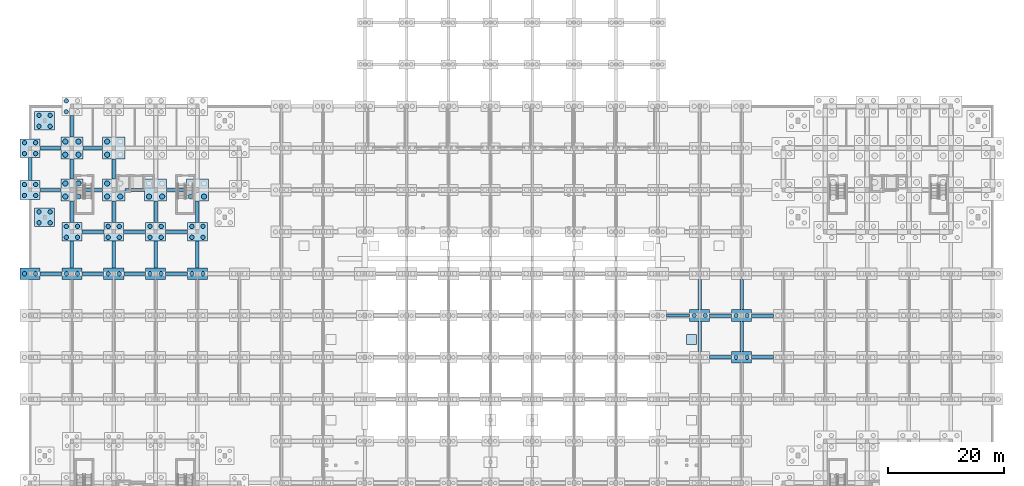
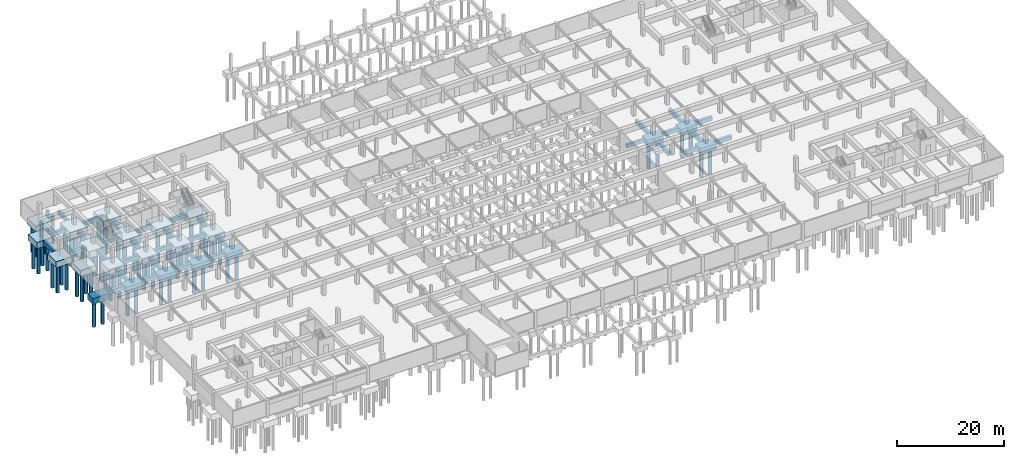
# One storey, part 7 of 36: 67 piles, 57 footings.
"""IFC4 building model written with IfcOpenShell, lengths in metres."""

from ifc_helpers import new_model, si_unit, direction, frame, origin, origin_2d, place, context, subcontext, project, spatial, rectangle, circle, extrude, material, material_profile, profile_set, type_object, element, save


model = new_model("IFC4")

# Units and contexts
model_context = context("Model", 3, precision=1e-05, world=origin(), true_north=direction((0.0, 1.0)))
body_context = subcontext(model_context, "Body", "Model", "MODEL_VIEW")
ifc_project = project(units=[si_unit("LENGTHUNIT", "METRE"), si_unit("AREAUNIT", "SQUARE_METRE"), si_unit("VOLUMEUNIT", "CUBIC_METRE"), si_unit("PLANEANGLEUNIT", "RADIAN"), si_unit("MASSUNIT", "GRAM", prefix="KILO")], contexts=[model_context])

# Site, building, storey
site_placement = place(None, origin())
site = spatial("IfcSite", under=ifc_project, at=site_placement, CompositionType="ELEMENT")
building_placement = place(site_placement, origin())
building = spatial("IfcBuilding", under=site, at=building_placement, Name="Ochrevale Crest", CompositionType="ELEMENT")
storey_placement = place(building_placement, frame((0.0, 0.0, -3.60009765625)))
storey = spatial("IfcBuildingStorey", under=building, at=storey_placement, Name="B1", CompositionType="ELEMENT", Elevation=-3.60009765625)

# Footings
ifc_material = material(Name="Concrete C40/50", Category="concrete")
footing_type_1 = type_object("IfcFootingType", Name="CAP-PC03", PredefinedType="PILE_CAP", material=ifc_material)
for number, where, z_axis, x_axis, name in (
    (1, (7.199951171875, 79.199951171875, -1.760009765625), (0.0, 0.0, 1.0), (1.0, 0.0, 0.0), "Pile cap PC03-022"),
    (2, (7.199951171875, 86.39990234375, -1.760009765625), (0.0, 0.0, 1.0), (1.0, 0.0, 0.0), "Pile cap PC03-023"),
    (3, (14.39990234375, 79.199951171875, -1.760009765625), (0.0, 0.0, 1.0), (1.0, 0.0, 0.0), "Pile cap PC03-034"),
    (4, (14.39990234375, 86.39990234375, -1.760009765625), (0.0, 0.0, 1.0), (1.0, 0.0, 0.0), "Pile cap PC03-035"),
    (5, (21.60009765625, 79.199951171875, -1.760009765625), (0.0, 0.0, 1.0), (1.0, 0.0, 0.0), "Pile cap PC03-046"),
    (6, (28.800048828125, 79.199951171875, -1.760009765625), (0.0, 0.0, 1.0), (1.0, 0.0, 0.0), "Pile cap PC03-058"),
):
    element("IfcFooting", number, at=place(storey_placement, frame(where, z_axis=z_axis, x_axis=x_axis)), inside=storey, type_object=footing_type_1, Name=name, PredefinedType="PILE_CAP", context=body_context, shape_type="SweptSolid", body=[
        extrude(rectangle(XDim=3.800048828125, YDim=3.800048828125, at=origin_2d()), origin(), (0.0, 0.0, 1.0), 1.5),
    ])
footing_type_2 = type_object("IfcFootingType", Name="CAP-PC07", PredefinedType="PILE_CAP", material=ifc_material)
for number, where, z_axis, x_axis, name in (
    (7, (0.0, 79.199951171875, -1.659912109375), (0.0, 0.0, 1.0), (1.0, 0.0, 0.0), "Pile cap PC07-007"),
    (8, (0.0, 86.39990234375, -1.659912109375), (0.0, 0.0, 1.0), (1.0, 0.0, 0.0), "Pile cap PC07-008"),
    (9, (2.5, 74.5, -1.659912109375), (0.0, 0.0, 1.0), (1.0, 0.0, 0.0), "Pile cap PC07-011"),
    (10, (2.5, 91.10009765625, -1.659912109375), (0.0, 0.0, 1.0), (1.0, 0.0, 0.0), "Pile cap PC07-012"),
    (11, (7.199951171875, 72.0, -1.659912109375), (0.0, 0.0, 1.0), (1.0, 0.0, 0.0), "Pile cap PC07-021"),
    (12, (14.39990234375, 72.0, -1.659912109375), (0.0, 0.0, 1.0), (1.0, 0.0, 0.0), "Pile cap PC07-033"),
    (13, (21.60009765625, 72.0, -1.659912109375), (0.0, 0.0, 1.0), (1.0, 0.0, 0.0), "Pile cap PC07-045"),
    (14, (28.800048828125, 72.0, -1.659912109375), (0.0, 0.0, 1.0), (1.0, 0.0, 0.0), "Pile cap PC07-057"),
):
    element("IfcFooting", number, at=place(storey_placement, frame(where, z_axis=z_axis, x_axis=x_axis)), inside=storey, type_object=footing_type_2, Name=name, PredefinedType="PILE_CAP", context=body_context, shape_type="SweptSolid", body=[
        extrude(rectangle(XDim=3.39990234375, YDim=3.199951171875, at=origin_2d()), origin(), (0.0, 0.0, 1.0), 1.39990234375),
    ])
footing_type_3 = type_object("IfcFootingType", Name="CAP-PC12", PredefinedType="PILE_CAP", material=ifc_material)
for number, where, z_axis, x_axis, name in (
    (15, (0.0, 64.800048828125, -1.60986328125), (0.0, 0.0, 1.0), (1.0, 0.0, 0.0), "Pile cap PC12-006"),
    (16, (7.199951171875, 64.800048828125, -1.60986328125), (0.0, 0.0, 1.0), (1.0, 0.0, 0.0), "Pile cap PC12-020"),
    (17, (14.39990234375, 64.800048828125, -1.60986328125), (0.0, 0.0, 1.0), (1.0, 0.0, 0.0), "Pile cap PC12-032"),
    (18, (21.60009765625, 64.800048828125, -1.60986328125), (0.0, 0.0, 1.0), (1.0, 0.0, 0.0), "Pile cap PC12-044"),
    (19, (28.800048828125, 64.800048828125, -1.60986328125), (0.0, 0.0, 1.0), (1.0, 0.0, 0.0), "Pile cap PC12-056"),
    (20, (115.199951171875, 57.60009765625, -1.60986328125), (0.0, 0.0, 1.0), (1.0, 0.0, 0.0), "Pile cap PC12-234"),
    (21, (122.39990234375, 50.39990234375, -1.60986328125), (0.0, 0.0, 1.0), (1.0, 0.0, 0.0), "Pile cap PC12-245"),
    (22, (122.39990234375, 57.60009765625, -1.60986328125), (0.0, 0.0, 1.0), (1.0, 0.0, 0.0), "Pile cap PC12-246"),
):
    element("IfcFooting", number, at=place(storey_placement, frame(where, z_axis=z_axis, x_axis=x_axis)), inside=storey, type_object=footing_type_3, Name=name, PredefinedType="PILE_CAP", context=body_context, shape_type="SweptSolid", body=[
        extrude(rectangle(XDim=3.449951171875, YDim=2.0, at=origin_2d()), origin(), (0.0, 0.0, 1.0), 1.35009765625),
    ])
ifc_material_profile_1 = material_profile(ifc_material, rectangle(XDim=0.5, YDim=0.800048828125, at=origin_2d()), Name="GB 500x800")
ifc_profile_set_1 = profile_set([ifc_material_profile_1], Name="Concrete C40/50")
footing_type_4 = type_object("IfcFootingType", Name="FTG-GB500x800", PredefinedType="FOOTING_BEAM", material=ifc_profile_set_1)
footing_1_placement = place(storey_placement, frame((109.47705078125, 57.60009765625, -0.659912109375), z_axis=(1.0, 0.0, 0.0), x_axis=(0.0, 1.0, 0.0)))
element("IfcFooting", 23, at=footing_1_placement, inside=storey, type_object=footing_type_4, Name="Foundation tie beam GB2-396", PredefinedType="FOOTING_BEAM", context=body_context, shape_type="SweptSolid", body=[
    extrude(rectangle(XDim=0.5, YDim=0.800048828125, at=origin_2d()), origin(), (0.0, 0.0, 1.0), 3.995849609375),
])
ifc_material_profile_2 = material_profile(ifc_material, rectangle(XDim=0.60009765625, YDim=0.89990234375, at=origin_2d()), Name="GB 600x900")
ifc_profile_set_2 = profile_set([ifc_material_profile_2], Name="Concrete C40/50")
footing_type_5 = type_object("IfcFootingType", Name="FTG-GB600x900", PredefinedType="FOOTING_BEAM", material=ifc_profile_set_2)
footing_2_placement = place(storey_placement, frame((1.72705078125, 64.800048828125, -0.7099609375), z_axis=(1.0, 0.0, 0.0), x_axis=(0.0, 1.0, 0.0)))
element("IfcFooting", 24, at=footing_2_placement, inside=storey, type_object=footing_type_5, Name="Foundation tie beam GB1-010", PredefinedType="FOOTING_BEAM", context=body_context, shape_type="SweptSolid", body=[
    extrude(rectangle(XDim=0.60009765625, YDim=0.89990234375, at=origin_2d()), origin(), (0.0, 0.0, 1.0), 3.745849609375),
])
footing_3_placement = place(storey_placement, frame((1.701904296875, 79.199951171875, -0.7099609375), z_axis=(1.0, 0.0, 0.0), x_axis=(0.0, 1.0, 0.0)))
element("IfcFooting", 25, at=footing_3_placement, inside=storey, type_object=footing_type_5, Name="Foundation tie beam GB1-011", PredefinedType="FOOTING_BEAM", context=body_context, shape_type="SweptSolid", body=[
    extrude(rectangle(XDim=0.60009765625, YDim=0.89990234375, at=origin_2d()), origin(), (0.0, 0.0, 1.0), 3.59619140625),
])
footing_4_placement = place(storey_placement, frame((0.0, 80.802001953125, -0.7099609375), z_axis=(0.0, 1.0, 0.0), x_axis=(-1.0, 0.0, 0.0)))
element("IfcFooting", 26, at=footing_4_placement, inside=storey, type_object=footing_type_5, Name="Foundation tie beam GB1-012", PredefinedType="FOOTING_BEAM", context=body_context, shape_type="SweptSolid", body=[
    extrude(rectangle(XDim=0.60009765625, YDim=0.89990234375, at=origin_2d()), origin(), (0.0, 0.0, 1.0), 3.99609375),
])
footing_5_placement = place(storey_placement, frame((1.701904296875, 86.39990234375, -0.7099609375), z_axis=(1.0, 0.0, 0.0), x_axis=(0.0, 1.0, 0.0)))
element("IfcFooting", 27, at=footing_5_placement, inside=storey, type_object=footing_type_5, Name="Foundation tie beam GB1-013", PredefinedType="FOOTING_BEAM", context=body_context, shape_type="SweptSolid", body=[
    extrude(rectangle(XDim=0.60009765625, YDim=0.89990234375, at=origin_2d()), origin(), (0.0, 0.0, 1.0), 3.59619140625),
])
footing_6_placement = place(storey_placement, frame((8.927001953125, 64.800048828125, -0.7099609375), z_axis=(1.0, 0.0, 0.0), x_axis=(0.0, 1.0, 0.0)))
element("IfcFooting", 28, at=footing_6_placement, inside=storey, type_object=footing_type_5, Name="Foundation tie beam GB1-028", PredefinedType="FOOTING_BEAM", context=body_context, shape_type="SweptSolid", body=[
    extrude(rectangle(XDim=0.60009765625, YDim=0.89990234375, at=origin_2d()), origin(), (0.0, 0.0, 1.0), 3.74609375),
])
footing_7_placement = place(storey_placement, frame((7.199951171875, 65.802001953125, -0.7099609375), z_axis=(0.0, 1.0, 0.0), x_axis=(-1.0, 0.0, 0.0)))
element("IfcFooting", 29, at=footing_7_placement, inside=storey, type_object=footing_type_5, Name="Foundation tie beam GB1-029", PredefinedType="FOOTING_BEAM", context=body_context, shape_type="SweptSolid", body=[
    extrude(rectangle(XDim=0.60009765625, YDim=0.89990234375, at=origin_2d()), origin(), (0.0, 0.0, 1.0), 4.595947265625),
])
footing_8_placement = place(storey_placement, frame((8.902099609375, 72.0, -0.7099609375), z_axis=(1.0, 0.0, 0.0), x_axis=(0.0, 1.0, 0.0)))
element("IfcFooting", 30, at=footing_8_placement, inside=storey, type_object=footing_type_5, Name="Foundation tie beam GB1-030", PredefinedType="FOOTING_BEAM", context=body_context, shape_type="SweptSolid", body=[
    extrude(rectangle(XDim=0.60009765625, YDim=0.89990234375, at=origin_2d()), origin(), (0.0, 0.0, 1.0), 3.7958984375),
])
footing_9_placement = place(storey_placement, frame((7.199951171875, 73.60205078125, -0.7099609375), z_axis=(0.0, 1.0, 0.0), x_axis=(-1.0, 0.0, 0.0)))
element("IfcFooting", 31, at=footing_9_placement, inside=storey, type_object=footing_type_5, Name="Foundation tie beam GB1-031", PredefinedType="FOOTING_BEAM", context=body_context, shape_type="SweptSolid", body=[
    extrude(rectangle(XDim=0.60009765625, YDim=0.89990234375, at=origin_2d()), origin(), (0.0, 0.0, 1.0), 3.696044921875),
])
for number, where, z_axis, x_axis, name in (
    (32, (9.10205078125, 79.199951171875, -0.7099609375), (1.0, 0.0, 0.0), (0.0, 1.0, 0.0), "Foundation tie beam GB1-032"),
    (33, (7.199951171875, 81.10205078125, -0.7099609375), (0.0, 1.0, 0.0), (-1.0, 0.0, 0.0), "Foundation tie beam GB1-033"),
    (34, (9.10205078125, 86.39990234375, -0.7099609375), (1.0, 0.0, 0.0), (0.0, 1.0, 0.0), "Foundation tie beam GB1-034"),
):
    element("IfcFooting", number, at=place(storey_placement, frame(where, z_axis=z_axis, x_axis=x_axis)), inside=storey, type_object=footing_type_5, Name=name, PredefinedType="FOOTING_BEAM", context=body_context, shape_type="SweptSolid", body=[
        extrude(rectangle(XDim=0.60009765625, YDim=0.89990234375, at=origin_2d()), origin(), (0.0, 0.0, 1.0), 3.39599609375),
    ])
footing_10_placement = place(storey_placement, frame((7.199951171875, 88.302001953125, -0.7099609375), z_axis=(0.0, 1.0, 0.0), x_axis=(-1.0, 0.0, 0.0)))
element("IfcFooting", 35, at=footing_10_placement, inside=storey, type_object=footing_type_5, Name="Foundation tie beam GB1-035", PredefinedType="FOOTING_BEAM", context=body_context, shape_type="SweptSolid", body=[
    extrude(rectangle(XDim=0.60009765625, YDim=0.89990234375, at=origin_2d()), origin(), (0.0, 0.0, 1.0), 3.696044921875),
])
footing_11_placement = place(storey_placement, frame((16.126953125, 64.800048828125, -0.7099609375), z_axis=(1.0, 0.0, 0.0), x_axis=(0.0, 1.0, 0.0)))
element("IfcFooting", 36, at=footing_11_placement, inside=storey, type_object=footing_type_5, Name="Foundation tie beam GB1-051", PredefinedType="FOOTING_BEAM", context=body_context, shape_type="SweptSolid", body=[
    extrude(rectangle(XDim=0.60009765625, YDim=0.89990234375, at=origin_2d()), origin(), (0.0, 0.0, 1.0), 3.74609375),
])
footing_12_placement = place(storey_placement, frame((14.39990234375, 65.802001953125, -0.7099609375), z_axis=(0.0, 1.0, 0.0), x_axis=(-1.0, 0.0, 0.0)))
element("IfcFooting", 37, at=footing_12_placement, inside=storey, type_object=footing_type_5, Name="Foundation tie beam GB1-052", PredefinedType="FOOTING_BEAM", context=body_context, shape_type="SweptSolid", body=[
    extrude(rectangle(XDim=0.60009765625, YDim=0.89990234375, at=origin_2d()), origin(), (0.0, 0.0, 1.0), 4.595947265625),
])
footing_13_placement = place(storey_placement, frame((16.10205078125, 72.0, -0.7099609375), z_axis=(1.0, 0.0, 0.0), x_axis=(0.0, 1.0, 0.0)))
element("IfcFooting", 38, at=footing_13_placement, inside=storey, type_object=footing_type_5, Name="Foundation tie beam GB1-053", PredefinedType="FOOTING_BEAM", context=body_context, shape_type="SweptSolid", body=[
    extrude(rectangle(XDim=0.60009765625, YDim=0.89990234375, at=origin_2d()), origin(), (0.0, 0.0, 1.0), 3.7958984375),
])
footing_14_placement = place(storey_placement, frame((14.39990234375, 73.60205078125, -0.7099609375), z_axis=(0.0, 1.0, 0.0), x_axis=(-1.0, 0.0, 0.0)))
element("IfcFooting", 39, at=footing_14_placement, inside=storey, type_object=footing_type_5, Name="Foundation tie beam GB1-054", PredefinedType="FOOTING_BEAM", context=body_context, shape_type="SweptSolid", body=[
    extrude(rectangle(XDim=0.60009765625, YDim=0.89990234375, at=origin_2d()), origin(), (0.0, 0.0, 1.0), 3.696044921875),
])
for number, where, z_axis, x_axis, name in (
    (40, (16.302001953125, 79.199951171875, -0.7099609375), (1.0, 0.0, 0.0), (0.0, 1.0, 0.0), "Foundation tie beam GB1-055"),
    (41, (14.39990234375, 81.10205078125, -0.7099609375), (0.0, 1.0, 0.0), (-1.0, 0.0, 0.0), "Foundation tie beam GB1-056"),
):
    element("IfcFooting", number, at=place(storey_placement, frame(where, z_axis=z_axis, x_axis=x_axis)), inside=storey, type_object=footing_type_5, Name=name, PredefinedType="FOOTING_BEAM", context=body_context, shape_type="SweptSolid", body=[
        extrude(rectangle(XDim=0.60009765625, YDim=0.89990234375, at=origin_2d()), origin(), (0.0, 0.0, 1.0), 3.39599609375),
    ])
footing_15_placement = place(storey_placement, frame((23.326904296875, 64.800048828125, -0.7099609375), z_axis=(1.0, 0.0, 0.0), x_axis=(0.0, 1.0, 0.0)))
element("IfcFooting", 42, at=footing_15_placement, inside=storey, type_object=footing_type_5, Name="Foundation tie beam GB1-074", PredefinedType="FOOTING_BEAM", context=body_context, shape_type="SweptSolid", body=[
    extrude(rectangle(XDim=0.60009765625, YDim=0.89990234375, at=origin_2d()), origin(), (0.0, 0.0, 1.0), 3.74609375),
])
footing_16_placement = place(storey_placement, frame((21.60009765625, 65.802001953125, -0.7099609375), z_axis=(0.0, 1.0, 0.0), x_axis=(-1.0, 0.0, 0.0)))
element("IfcFooting", 43, at=footing_16_placement, inside=storey, type_object=footing_type_5, Name="Foundation tie beam GB1-075", PredefinedType="FOOTING_BEAM", context=body_context, shape_type="SweptSolid", body=[
    extrude(rectangle(XDim=0.60009765625, YDim=0.89990234375, at=origin_2d()), origin(), (0.0, 0.0, 1.0), 4.595947265625),
])
footing_17_placement = place(storey_placement, frame((23.302001953125, 72.0, -0.7099609375), z_axis=(1.0, 0.0, 0.0), x_axis=(0.0, 1.0, 0.0)))
element("IfcFooting", 44, at=footing_17_placement, inside=storey, type_object=footing_type_5, Name="Foundation tie beam GB1-076", PredefinedType="FOOTING_BEAM", context=body_context, shape_type="SweptSolid", body=[
    extrude(rectangle(XDim=0.60009765625, YDim=0.89990234375, at=origin_2d()), origin(), (0.0, 0.0, 1.0), 3.7958984375),
])
footing_18_placement = place(storey_placement, frame((21.60009765625, 73.60205078125, -0.7099609375), z_axis=(0.0, 1.0, 0.0), x_axis=(-1.0, 0.0, 0.0)))
element("IfcFooting", 45, at=footing_18_placement, inside=storey, type_object=footing_type_5, Name="Foundation tie beam GB1-077", PredefinedType="FOOTING_BEAM", context=body_context, shape_type="SweptSolid", body=[
    extrude(rectangle(XDim=0.60009765625, YDim=0.89990234375, at=origin_2d()), origin(), (0.0, 0.0, 1.0), 3.696044921875),
])
footing_19_placement = place(storey_placement, frame((23.501953125, 79.199951171875, -0.7099609375), z_axis=(1.0, 0.0, 0.0), x_axis=(0.0, 1.0, 0.0)))
element("IfcFooting", 46, at=footing_19_placement, inside=storey, type_object=footing_type_5, Name="Foundation tie beam GB1-078", PredefinedType="FOOTING_BEAM", context=body_context, shape_type="SweptSolid", body=[
    extrude(rectangle(XDim=0.60009765625, YDim=0.89990234375, at=origin_2d()), origin(), (0.0, 0.0, 1.0), 3.39599609375),
])
footing_20_placement = place(storey_placement, frame((28.800048828125, 65.802001953125, -0.7099609375), z_axis=(0.0, 1.0, 0.0), x_axis=(-1.0, 0.0, 0.0)))
element("IfcFooting", 47, at=footing_20_placement, inside=storey, type_object=footing_type_5, Name="Foundation tie beam GB1-096", PredefinedType="FOOTING_BEAM", context=body_context, shape_type="SweptSolid", body=[
    extrude(rectangle(XDim=0.60009765625, YDim=0.89990234375, at=origin_2d()), origin(), (0.0, 0.0, 1.0), 4.595947265625),
])
footing_21_placement = place(storey_placement, frame((28.800048828125, 73.60205078125, -0.7099609375), z_axis=(0.0, 1.0, 0.0), x_axis=(-1.0, 0.0, 0.0)))
element("IfcFooting", 48, at=footing_21_placement, inside=storey, type_object=footing_type_5, Name="Foundation tie beam GB1-097", PredefinedType="FOOTING_BEAM", context=body_context, shape_type="SweptSolid", body=[
    extrude(rectangle(XDim=0.60009765625, YDim=0.89990234375, at=origin_2d()), origin(), (0.0, 0.0, 1.0), 3.696044921875),
])
footing_22_placement = place(storey_placement, frame((116.927001953125, 50.39990234375, -0.7099609375), z_axis=(1.0, 0.0, 0.0), x_axis=(0.0, 1.0, 0.0)))
element("IfcFooting", 49, at=footing_22_placement, inside=storey, type_object=footing_type_5, Name="Foundation tie beam GB1-420", PredefinedType="FOOTING_BEAM", context=body_context, shape_type="SweptSolid", body=[
    extrude(rectangle(XDim=0.60009765625, YDim=0.89990234375, at=origin_2d()), origin(), (0.0, 0.0, 1.0), 3.74609375),
])
footing_23_placement = place(storey_placement, frame((115.199951171875, 51.402099609375, -0.7099609375), z_axis=(0.0, 1.0, 0.0), x_axis=(-1.0, 0.0, 0.0)))
element("IfcFooting", 50, at=footing_23_placement, inside=storey, type_object=footing_type_5, Name="Foundation tie beam GB1-421", PredefinedType="FOOTING_BEAM", context=body_context, shape_type="SweptSolid", body=[
    extrude(rectangle(XDim=0.60009765625, YDim=0.89990234375, at=origin_2d()), origin(), (0.0, 0.0, 1.0), 5.19580078125),
])
footing_24_placement = place(storey_placement, frame((116.927001953125, 57.60009765625, -0.7099609375), z_axis=(1.0, 0.0, 0.0), x_axis=(0.0, 1.0, 0.0)))
element("IfcFooting", 51, at=footing_24_placement, inside=storey, type_object=footing_type_5, Name="Foundation tie beam GB1-422", PredefinedType="FOOTING_BEAM", context=body_context, shape_type="SweptSolid", body=[
    extrude(rectangle(XDim=0.60009765625, YDim=0.89990234375, at=origin_2d()), origin(), (0.0, 0.0, 1.0), 3.74609375),
])
footing_25_placement = place(storey_placement, frame((115.199951171875, 58.60205078125, -0.7099609375), z_axis=(0.0, 1.0, 0.0), x_axis=(-1.0, 0.0, 0.0)))
element("IfcFooting", 52, at=footing_25_placement, inside=storey, type_object=footing_type_5, Name="Foundation tie beam GB1-423", PredefinedType="FOOTING_BEAM", context=body_context, shape_type="SweptSolid", body=[
    extrude(rectangle(XDim=0.60009765625, YDim=0.89990234375, at=origin_2d()), origin(), (0.0, 0.0, 1.0), 5.196044921875),
])
footing_26_placement = place(storey_placement, frame((124.126953125, 50.39990234375, -0.7099609375), z_axis=(1.0, 0.0, 0.0), x_axis=(0.0, 1.0, 0.0)))
element("IfcFooting", 53, at=footing_26_placement, inside=storey, type_object=footing_type_5, Name="Foundation tie beam GB1-441", PredefinedType="FOOTING_BEAM", context=body_context, shape_type="SweptSolid", body=[
    extrude(rectangle(XDim=0.60009765625, YDim=0.89990234375, at=origin_2d()), origin(), (0.0, 0.0, 1.0), 3.74609375),
])
footing_27_placement = place(storey_placement, frame((122.39990234375, 51.402099609375, -0.7099609375), z_axis=(0.0, 1.0, 0.0), x_axis=(-1.0, 0.0, 0.0)))
element("IfcFooting", 54, at=footing_27_placement, inside=storey, type_object=footing_type_5, Name="Foundation tie beam GB1-442", PredefinedType="FOOTING_BEAM", context=body_context, shape_type="SweptSolid", body=[
    extrude(rectangle(XDim=0.60009765625, YDim=0.89990234375, at=origin_2d()), origin(), (0.0, 0.0, 1.0), 5.19580078125),
])
footing_28_placement = place(storey_placement, frame((124.126953125, 57.60009765625, -0.7099609375), z_axis=(1.0, 0.0, 0.0), x_axis=(0.0, 1.0, 0.0)))
element("IfcFooting", 55, at=footing_28_placement, inside=storey, type_object=footing_type_5, Name="Foundation tie beam GB1-443", PredefinedType="FOOTING_BEAM", context=body_context, shape_type="SweptSolid", body=[
    extrude(rectangle(XDim=0.60009765625, YDim=0.89990234375, at=origin_2d()), origin(), (0.0, 0.0, 1.0), 3.74609375),
])
footing_29_placement = place(storey_placement, frame((122.39990234375, 58.60205078125, -0.7099609375), z_axis=(0.0, 1.0, 0.0), x_axis=(-1.0, 0.0, 0.0)))
element("IfcFooting", 56, at=footing_29_placement, inside=storey, type_object=footing_type_5, Name="Foundation tie beam GB1-444", PredefinedType="FOOTING_BEAM", context=body_context, shape_type="SweptSolid", body=[
    extrude(rectangle(XDim=0.60009765625, YDim=0.89990234375, at=origin_2d()), origin(), (0.0, 0.0, 1.0), 5.196044921875),
])
footing_type_6 = type_object("IfcFootingType", Name="FTG-PAD03", PredefinedType="PAD_FOOTING", material=ifc_material)
footing_30_placement = place(storey_placement, frame((113.800048828125, 53.5, -0.909912109375), z_axis=(0.0, 0.0, 1.0), x_axis=(1.0, 0.0, 0.0)))
element("IfcFooting", 57, at=footing_30_placement, inside=storey, type_object=footing_type_6, Name="Pad footing PF03 (113.8,53.5)", PredefinedType="PAD_FOOTING", context=body_context, shape_type="SweptSolid", body=[
    extrude(rectangle(XDim=1.699951171875, YDim=1.699951171875, at=origin_2d()), origin(), (0.0, 0.0, 1.0), 0.64990234375),
])

# Piles
ifc_material_profile_3 = material_profile(ifc_material, circle(Radius=0.375, at=origin_2d()), Name="BORED PILE 750")
ifc_profile_set_3 = profile_set([ifc_material_profile_3], Name="Concrete C40/50")
pile_type_1 = type_object("IfcPileType", Name="PILE-BP750", PredefinedType="BORED", material=ifc_profile_set_3)
for number, where, z_axis, x_axis, name in (
    (58, (-0.949951171875, 64.800048828125, -1.510009765625), (0.0, 0.0, -1.0), (1.0, 0.0, 0.0), "Bored pile P2-006-1"),
    (59, (0.949951171875, 64.800048828125, -1.510009765625), (0.0, 0.0, -1.0), (1.0, 0.0, 0.0), "Bored pile P2-006-2"),
):
    element("IfcPile", number, at=place(storey_placement, frame(where, z_axis=z_axis, x_axis=x_axis)), inside=storey, type_object=pile_type_1, Name=name, PredefinedType="BORED", context=body_context, shape_type="SweptSolid", body=[
        extrude(circle(Radius=0.375, at=origin_2d()), origin(), (0.0, 0.0, 1.0), 5.889892578125),
    ])
for number, where, z_axis, x_axis, name in (
    (60, (-0.9599609375, 78.260009765625, -1.559814453125), (0.0, 0.0, -1.0), (1.0, 0.0, 0.0), "Bored pile P2-007-1"),
    (61, (0.9599609375, 78.260009765625, -1.559814453125), (0.0, 0.0, -1.0), (1.0, 0.0, 0.0), "Bored pile P2-007-2"),
    (62, (-0.9599609375, 80.139892578125, -1.559814453125), (0.0, 0.0, -1.0), (1.0, 0.0, 0.0), "Bored pile P2-007-3"),
    (63, (0.9599609375, 80.139892578125, -1.559814453125), (0.0, 0.0, -1.0), (1.0, 0.0, 0.0), "Bored pile P2-007-4"),
    (64, (-0.9599609375, 85.4599609375, -1.559814453125), (0.0, 0.0, -1.0), (1.0, 0.0, 0.0), "Bored pile P2-008-1"),
    (65, (0.9599609375, 85.4599609375, -1.559814453125), (0.0, 0.0, -1.0), (1.0, 0.0, 0.0), "Bored pile P2-008-2"),
    (66, (-0.9599609375, 87.340087890625, -1.559814453125), (0.0, 0.0, -1.0), (1.0, 0.0, 0.0), "Bored pile P2-008-3"),
    (67, (0.9599609375, 87.340087890625, -1.559814453125), (0.0, 0.0, -1.0), (1.0, 0.0, 0.0), "Bored pile P2-008-4"),
    (68, (1.5400390625, 73.56005859375, -1.559814453125), (0.0, 0.0, -1.0), (1.0, 0.0, 0.0), "Bored pile P2-011-1"),
    (69, (3.4599609375, 73.56005859375, -1.559814453125), (0.0, 0.0, -1.0), (1.0, 0.0, 0.0), "Bored pile P2-011-2"),
    (70, (1.5400390625, 75.43994140625, -1.559814453125), (0.0, 0.0, -1.0), (1.0, 0.0, 0.0), "Bored pile P2-011-3"),
    (71, (3.4599609375, 75.43994140625, -1.559814453125), (0.0, 0.0, -1.0), (1.0, 0.0, 0.0), "Bored pile P2-011-4"),
    (72, (1.5400390625, 90.159912109375, -1.559814453125), (0.0, 0.0, -1.0), (1.0, 0.0, 0.0), "Bored pile P2-012-1"),
    (73, (3.4599609375, 90.159912109375, -1.559814453125), (0.0, 0.0, -1.0), (1.0, 0.0, 0.0), "Bored pile P2-012-2"),
    (74, (1.5400390625, 92.0400390625, -1.559814453125), (0.0, 0.0, -1.0), (1.0, 0.0, 0.0), "Bored pile P2-012-3"),
    (75, (3.4599609375, 92.0400390625, -1.559814453125), (0.0, 0.0, -1.0), (1.0, 0.0, 0.0), "Bored pile P2-012-4"),
):
    element("IfcPile", number, at=place(storey_placement, frame(where, z_axis=z_axis, x_axis=x_axis)), inside=storey, type_object=pile_type_1, Name=name, PredefinedType="BORED", context=body_context, shape_type="SweptSolid", body=[
        extrude(circle(Radius=0.375, at=origin_2d()), origin(), (0.0, 0.0, 1.0), 6.239990234375),
    ])
for number, where, z_axis, x_axis, name in (
    (76, (6.25, 64.800048828125, -1.510009765625), (0.0, 0.0, -1.0), (1.0, 0.0, 0.0), "Bored pile P2-020-1"),
    (77, (8.14990234375, 64.800048828125, -1.510009765625), (0.0, 0.0, -1.0), (1.0, 0.0, 0.0), "Bored pile P2-020-2"),
):
    element("IfcPile", number, at=place(storey_placement, frame(where, z_axis=z_axis, x_axis=x_axis)), inside=storey, type_object=pile_type_1, Name=name, PredefinedType="BORED", context=body_context, shape_type="SweptSolid", body=[
        extrude(circle(Radius=0.375, at=origin_2d()), origin(), (0.0, 0.0, 1.0), 5.889892578125),
    ])
for number, where, z_axis, x_axis, name in (
    (78, (6.239990234375, 71.06005859375, -1.559814453125), (0.0, 0.0, -1.0), (1.0, 0.0, 0.0), "Bored pile P2-021-1"),
    (79, (8.159912109375, 71.06005859375, -1.559814453125), (0.0, 0.0, -1.0), (1.0, 0.0, 0.0), "Bored pile P2-021-2"),
    (80, (6.239990234375, 72.93994140625, -1.559814453125), (0.0, 0.0, -1.0), (1.0, 0.0, 0.0), "Bored pile P2-021-3"),
    (81, (8.159912109375, 72.93994140625, -1.559814453125), (0.0, 0.0, -1.0), (1.0, 0.0, 0.0), "Bored pile P2-021-4"),
    (82, (6.239990234375, 92.659912109375, -1.559814453125), (0.0, 0.0, -1.0), (1.0, 0.0, 0.0), "Bored pile P2-024-1"),
    (83, (6.239990234375, 94.5400390625, -1.559814453125), (0.0, 0.0, -1.0), (1.0, 0.0, 0.0), "Bored pile P2-024-3"),
):
    element("IfcPile", number, at=place(storey_placement, frame(where, z_axis=z_axis, x_axis=x_axis)), inside=storey, type_object=pile_type_1, Name=name, PredefinedType="BORED", context=body_context, shape_type="SweptSolid", body=[
        extrude(circle(Radius=0.375, at=origin_2d()), origin(), (0.0, 0.0, 1.0), 6.239990234375),
    ])
for number, where, z_axis, x_axis, name in (
    (84, (13.449951171875, 64.800048828125, -1.510009765625), (0.0, 0.0, -1.0), (1.0, 0.0, 0.0), "Bored pile P2-032-1"),
    (85, (15.35009765625, 64.800048828125, -1.510009765625), (0.0, 0.0, -1.0), (1.0, 0.0, 0.0), "Bored pile P2-032-2"),
):
    element("IfcPile", number, at=place(storey_placement, frame(where, z_axis=z_axis, x_axis=x_axis)), inside=storey, type_object=pile_type_1, Name=name, PredefinedType="BORED", context=body_context, shape_type="SweptSolid", body=[
        extrude(circle(Radius=0.375, at=origin_2d()), origin(), (0.0, 0.0, 1.0), 5.889892578125),
    ])
for number, where, z_axis, x_axis, name in (
    (86, (13.43994140625, 71.06005859375, -1.559814453125), (0.0, 0.0, -1.0), (1.0, 0.0, 0.0), "Bored pile P2-033-1"),
    (87, (15.360107421875, 71.06005859375, -1.559814453125), (0.0, 0.0, -1.0), (1.0, 0.0, 0.0), "Bored pile P2-033-2"),
    (88, (13.43994140625, 72.93994140625, -1.559814453125), (0.0, 0.0, -1.0), (1.0, 0.0, 0.0), "Bored pile P2-033-3"),
    (89, (15.360107421875, 72.93994140625, -1.559814453125), (0.0, 0.0, -1.0), (1.0, 0.0, 0.0), "Bored pile P2-033-4"),
):
    element("IfcPile", number, at=place(storey_placement, frame(where, z_axis=z_axis, x_axis=x_axis)), inside=storey, type_object=pile_type_1, Name=name, PredefinedType="BORED", context=body_context, shape_type="SweptSolid", body=[
        extrude(circle(Radius=0.375, at=origin_2d()), origin(), (0.0, 0.0, 1.0), 6.239990234375),
    ])
for number, where, z_axis, x_axis, name in (
    (90, (20.64990234375, 64.800048828125, -1.510009765625), (0.0, 0.0, -1.0), (1.0, 0.0, 0.0), "Bored pile P2-044-1"),
    (91, (22.550048828125, 64.800048828125, -1.510009765625), (0.0, 0.0, -1.0), (1.0, 0.0, 0.0), "Bored pile P2-044-2"),
):
    element("IfcPile", number, at=place(storey_placement, frame(where, z_axis=z_axis, x_axis=x_axis)), inside=storey, type_object=pile_type_1, Name=name, PredefinedType="BORED", context=body_context, shape_type="SweptSolid", body=[
        extrude(circle(Radius=0.375, at=origin_2d()), origin(), (0.0, 0.0, 1.0), 5.889892578125),
    ])
for number, where, z_axis, x_axis, name in (
    (92, (20.639892578125, 71.06005859375, -1.559814453125), (0.0, 0.0, -1.0), (1.0, 0.0, 0.0), "Bored pile P2-045-1"),
    (93, (22.56005859375, 71.06005859375, -1.559814453125), (0.0, 0.0, -1.0), (1.0, 0.0, 0.0), "Bored pile P2-045-2"),
    (94, (20.639892578125, 72.93994140625, -1.559814453125), (0.0, 0.0, -1.0), (1.0, 0.0, 0.0), "Bored pile P2-045-3"),
    (95, (22.56005859375, 72.93994140625, -1.559814453125), (0.0, 0.0, -1.0), (1.0, 0.0, 0.0), "Bored pile P2-045-4"),
):
    element("IfcPile", number, at=place(storey_placement, frame(where, z_axis=z_axis, x_axis=x_axis)), inside=storey, type_object=pile_type_1, Name=name, PredefinedType="BORED", context=body_context, shape_type="SweptSolid", body=[
        extrude(circle(Radius=0.375, at=origin_2d()), origin(), (0.0, 0.0, 1.0), 6.239990234375),
    ])
for number, where, z_axis, x_axis, name in (
    (96, (27.85009765625, 64.800048828125, -1.510009765625), (0.0, 0.0, -1.0), (1.0, 0.0, 0.0), "Bored pile P2-056-1"),
    (97, (29.75, 64.800048828125, -1.510009765625), (0.0, 0.0, -1.0), (1.0, 0.0, 0.0), "Bored pile P2-056-2"),
):
    element("IfcPile", number, at=place(storey_placement, frame(where, z_axis=z_axis, x_axis=x_axis)), inside=storey, type_object=pile_type_1, Name=name, PredefinedType="BORED", context=body_context, shape_type="SweptSolid", body=[
        extrude(circle(Radius=0.375, at=origin_2d()), origin(), (0.0, 0.0, 1.0), 5.889892578125),
    ])
for number, where, z_axis, x_axis, name in (
    (98, (27.840087890625, 71.06005859375, -1.559814453125), (0.0, 0.0, -1.0), (1.0, 0.0, 0.0), "Bored pile P2-057-1"),
    (99, (29.760009765625, 71.06005859375, -1.559814453125), (0.0, 0.0, -1.0), (1.0, 0.0, 0.0), "Bored pile P2-057-2"),
    (100, (27.840087890625, 72.93994140625, -1.559814453125), (0.0, 0.0, -1.0), (1.0, 0.0, 0.0), "Bored pile P2-057-3"),
    (101, (29.760009765625, 72.93994140625, -1.559814453125), (0.0, 0.0, -1.0), (1.0, 0.0, 0.0), "Bored pile P2-057-4"),
):
    element("IfcPile", number, at=place(storey_placement, frame(where, z_axis=z_axis, x_axis=x_axis)), inside=storey, type_object=pile_type_1, Name=name, PredefinedType="BORED", context=body_context, shape_type="SweptSolid", body=[
        extrude(circle(Radius=0.375, at=origin_2d()), origin(), (0.0, 0.0, 1.0), 6.239990234375),
    ])
for number, where, z_axis, x_axis, name in (
    (102, (114.25, 57.60009765625, -1.510009765625), (0.0, 0.0, -1.0), (1.0, 0.0, 0.0), "Bored pile P2-234-1"),
    (103, (116.14990234375, 57.60009765625, -1.510009765625), (0.0, 0.0, -1.0), (1.0, 0.0, 0.0), "Bored pile P2-234-2"),
    (104, (121.449951171875, 50.39990234375, -1.510009765625), (0.0, 0.0, -1.0), (1.0, 0.0, 0.0), "Bored pile P2-245-1"),
    (105, (123.35009765625, 50.39990234375, -1.510009765625), (0.0, 0.0, -1.0), (1.0, 0.0, 0.0), "Bored pile P2-245-2"),
    (106, (121.449951171875, 57.60009765625, -1.510009765625), (0.0, 0.0, -1.0), (1.0, 0.0, 0.0), "Bored pile P2-246-1"),
    (107, (123.35009765625, 57.60009765625, -1.510009765625), (0.0, 0.0, -1.0), (1.0, 0.0, 0.0), "Bored pile P2-246-2"),
):
    element("IfcPile", number, at=place(storey_placement, frame(where, z_axis=z_axis, x_axis=x_axis)), inside=storey, type_object=pile_type_1, Name=name, PredefinedType="BORED", context=body_context, shape_type="SweptSolid", body=[
        extrude(circle(Radius=0.375, at=origin_2d()), origin(), (0.0, 0.0, 1.0), 5.889892578125),
    ])
ifc_material_profile_4 = material_profile(ifc_material, circle(Radius=0.449951171875, at=origin_2d()), Name="BORED PILE 900")
ifc_profile_set_4 = profile_set([ifc_material_profile_4], Name="Concrete C40/50")
pile_type_2 = type_object("IfcPileType", Name="PILE-BP900", PredefinedType="BORED", material=ifc_profile_set_4)
for number, where, z_axis, x_axis, name in (
    (108, (6.070068359375, 78.070068359375, -1.659912109375), (0.0, 0.0, -1.0), (1.0, 0.0, 0.0), "Bored pile P3-022-1"),
    (109, (8.330078125, 78.070068359375, -1.659912109375), (0.0, 0.0, -1.0), (1.0, 0.0, 0.0), "Bored pile P3-022-2"),
    (110, (6.070068359375, 80.330078125, -1.659912109375), (0.0, 0.0, -1.0), (1.0, 0.0, 0.0), "Bored pile P3-022-3"),
    (111, (8.330078125, 80.330078125, -1.659912109375), (0.0, 0.0, -1.0), (1.0, 0.0, 0.0), "Bored pile P3-022-4"),
    (112, (6.070068359375, 85.27001953125, -1.659912109375), (0.0, 0.0, -1.0), (1.0, 0.0, 0.0), "Bored pile P3-023-1"),
    (113, (8.330078125, 85.27001953125, -1.659912109375), (0.0, 0.0, -1.0), (1.0, 0.0, 0.0), "Bored pile P3-023-2"),
    (114, (6.070068359375, 87.530029296875, -1.659912109375), (0.0, 0.0, -1.0), (1.0, 0.0, 0.0), "Bored pile P3-023-3"),
    (115, (8.330078125, 87.530029296875, -1.659912109375), (0.0, 0.0, -1.0), (1.0, 0.0, 0.0), "Bored pile P3-023-4"),
    (116, (13.27001953125, 78.070068359375, -1.659912109375), (0.0, 0.0, -1.0), (1.0, 0.0, 0.0), "Bored pile P3-034-1"),
    (117, (15.530029296875, 78.070068359375, -1.659912109375), (0.0, 0.0, -1.0), (1.0, 0.0, 0.0), "Bored pile P3-034-2"),
    (118, (13.27001953125, 80.330078125, -1.659912109375), (0.0, 0.0, -1.0), (1.0, 0.0, 0.0), "Bored pile P3-034-3"),
    (119, (13.27001953125, 85.27001953125, -1.659912109375), (0.0, 0.0, -1.0), (1.0, 0.0, 0.0), "Bored pile P3-035-1"),
    (120, (13.27001953125, 87.530029296875, -1.659912109375), (0.0, 0.0, -1.0), (1.0, 0.0, 0.0), "Bored pile P3-035-3"),
    (121, (20.469970703125, 78.070068359375, -1.659912109375), (0.0, 0.0, -1.0), (1.0, 0.0, 0.0), "Bored pile P3-046-1"),
    (122, (22.72998046875, 78.070068359375, -1.659912109375), (0.0, 0.0, -1.0), (1.0, 0.0, 0.0), "Bored pile P3-046-2"),
    (123, (27.669921875, 78.070068359375, -1.659912109375), (0.0, 0.0, -1.0), (1.0, 0.0, 0.0), "Bored pile P3-058-1"),
    (124, (29.929931640625, 78.070068359375, -1.659912109375), (0.0, 0.0, -1.0), (1.0, 0.0, 0.0), "Bored pile P3-058-2"),
):
    element("IfcPile", number, at=place(storey_placement, frame(where, z_axis=z_axis, x_axis=x_axis)), inside=storey, type_object=pile_type_2, Name=name, PredefinedType="BORED", context=body_context, shape_type="SweptSolid", body=[
        extrude(circle(Radius=0.449951171875, at=origin_2d()), origin(), (0.0, 0.0, 1.0), 6.739990234375),
    ])

save(model, "model.ifc")
